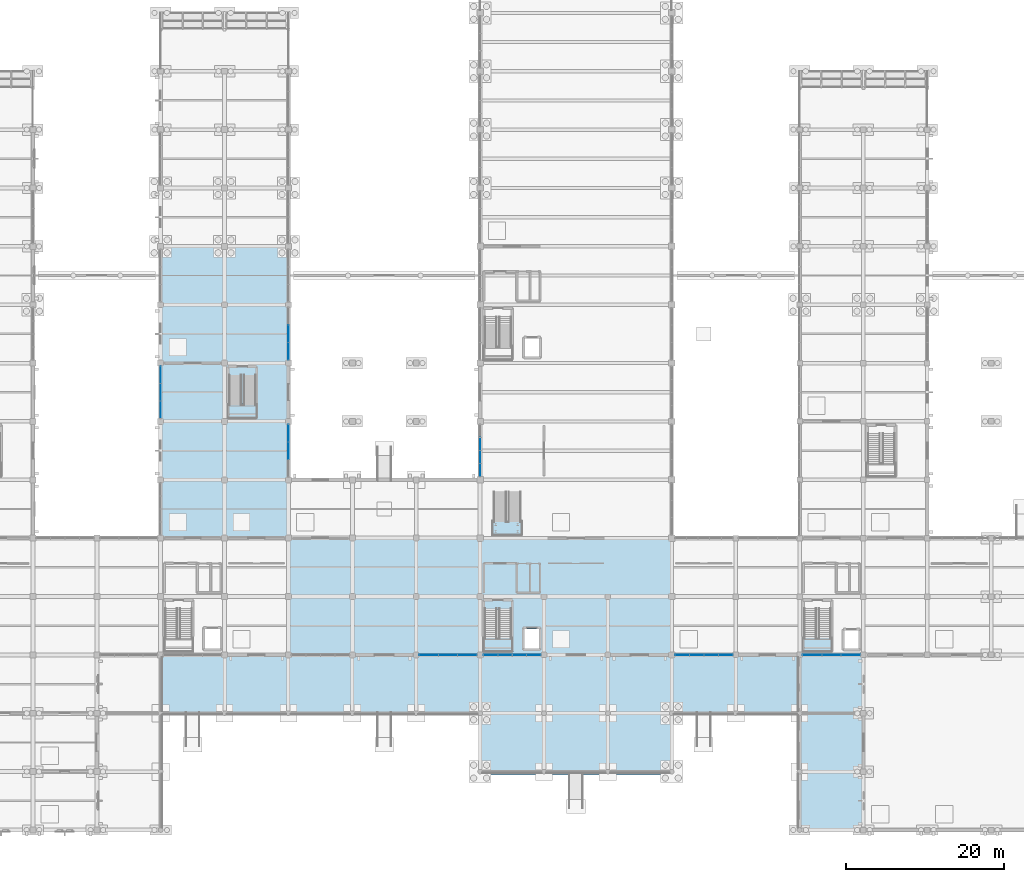
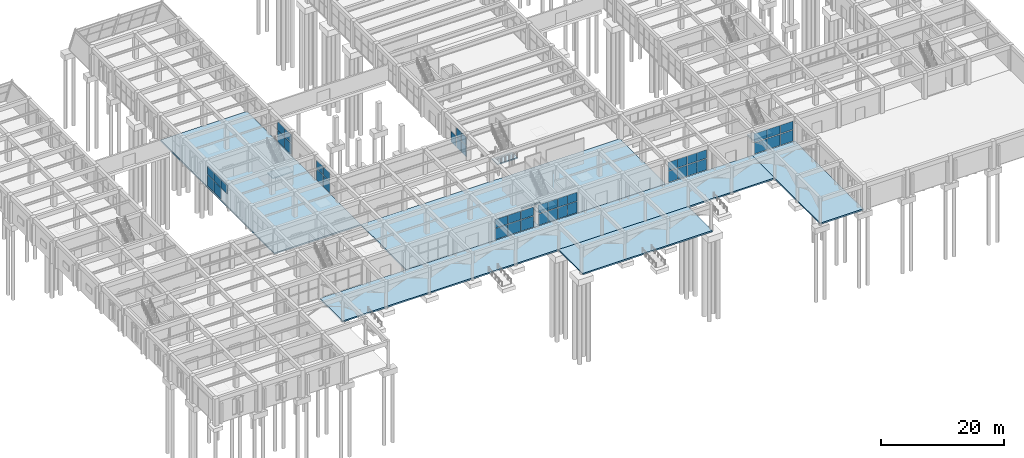
# One storey, part 112 of 140: 46 plates, 9 slabs, 12 elements without a shape of their own.
"""IFC4 building model written with IfcOpenShell, lengths in metres."""

from ifc_helpers import new_model, si_unit, direction, frame, origin, origin_2d, place, context, subcontext, project, spatial, polyline, rectangle, outline, extrude, material, layer, layer_set, type_object, element, aggregate, save


model = new_model("IFC4")

# Units and contexts
model_context = context("Model", 3, precision=1e-05, world=origin(), true_north=direction((0.0, 1.0)))
body_context = subcontext(model_context, "Body", "Model", "MODEL_VIEW")
ifc_project = project(units=[si_unit("LENGTHUNIT", "METRE"), si_unit("AREAUNIT", "SQUARE_METRE"), si_unit("VOLUMEUNIT", "CUBIC_METRE"), si_unit("PLANEANGLEUNIT", "RADIAN"), si_unit("MASSUNIT", "GRAM", prefix="KILO")], contexts=[model_context])

# Site, building, storey
site_placement = place(None, origin())
site = spatial("IfcSite", under=ifc_project, at=site_placement, CompositionType="ELEMENT")
building_placement = place(site_placement, origin())
building = spatial("IfcBuilding", under=site, at=building_placement, Name="Cimatlan Art Gallery", CompositionType="ELEMENT")
storey_placement = place(building_placement, origin())
storey = spatial("IfcBuildingStorey", under=building, at=storey_placement, Name="L00", CompositionType="ELEMENT", Elevation=0.0)

# Curtain wall, plates
ifc_material_1 = material(Name="Anodised bronze unitised curtain wall")
curtain_wall_type_1 = type_object("IfcCurtainWallType", Name="CW-V-06592X04148-B4", PredefinedType="NOTDEFINED", material=ifc_material_1)
curtain_wall_1_placement = place(storey_placement, origin())
curtain_wall_1 = element("IfcCurtainWall", 1, at=curtain_wall_1_placement, inside=storey, type_object=curtain_wall_type_1, Name="CW-L00-09-06-W", PredefinedType="NOTDEFINED")
ifc_material_2 = material(Name="Low-E insulated double glazing", Category="glass")
ifc_layer_1 = layer(ifc_material_2, 0.028076171875)
ifc_layer_set_1 = layer_set([ifc_layer_1], Name="Low-E insulated double glazing")
plate_type_1 = type_object("IfcPlateType", Name="PNL-1590X1641", PredefinedType="CURTAIN_PANEL", material=ifc_layer_set_1)
plate_1_placement = place(storey_placement, frame((74.89990234375, 47.327880859375, 2.385009765625), z_axis=(0.0, 0.0, 1.0), x_axis=(0.0, 1.0, 0.0)))
plate_1 = element("IfcPlate", 2, at=plate_1_placement, type_object=plate_type_1, Name="CW-L00-09-06-W-P12", PredefinedType="CURTAIN_PANEL", context=body_context, shape_type="SweptSolid", body=[
    extrude(rectangle(XDim=1.590087890625, YDim=0.028076171875, at=origin_2d()), origin(), (0.0, 0.0, 1.0), 1.64111328125),
])
plate_2_placement = place(storey_placement, frame((74.89990234375, 48.97607421875, 2.385009765625), z_axis=(0.0, 0.0, 1.0), x_axis=(0.0, 1.0, 0.0)))
plate_2 = element("IfcPlate", 3, at=plate_2_placement, type_object=plate_type_1, Name="CW-L00-09-06-W-P22", PredefinedType="CURTAIN_PANEL", context=body_context, shape_type="SweptSolid", body=[
    extrude(rectangle(XDim=1.590087890625, YDim=0.028076171875, at=origin_2d()), origin(), (0.0, 0.0, 1.0), 1.64111328125),
])
ifc_layer_2 = layer(ifc_material_2, 0.028076171875)
ifc_layer_set_2 = layer_set([ifc_layer_2], Name="Low-E insulated double glazing")
plate_type_2 = type_object("IfcPlateType", Name="PNL-1590X2139", PredefinedType="CURTAIN_PANEL", material=ifc_layer_set_2)
plate_3_placement = place(storey_placement, frame((74.89990234375, 47.327880859375, 0.1220703125), z_axis=(0.0, 0.0, 1.0), x_axis=(0.0, 1.0, 0.0)))
plate_3 = element("IfcPlate", 4, at=plate_3_placement, type_object=plate_type_2, Name="CW-L00-09-06-W-P11", PredefinedType="CURTAIN_PANEL", context=body_context, shape_type="SweptSolid", body=[
    extrude(rectangle(XDim=1.590087890625, YDim=0.028076171875, at=origin_2d()), origin(), (0.0, 0.0, 1.0), 2.138916015625),
])
plate_4_placement = place(storey_placement, frame((74.89990234375, 48.97607421875, 0.1220703125), z_axis=(0.0, 0.0, 1.0), x_axis=(0.0, 1.0, 0.0)))
plate_4 = element("IfcPlate", 5, at=plate_4_placement, type_object=plate_type_2, Name="CW-L00-09-06-W-P21", PredefinedType="CURTAIN_PANEL", context=body_context, shape_type="SweptSolid", body=[
    extrude(rectangle(XDim=1.590087890625, YDim=0.028076171875, at=origin_2d()), origin(), (0.0, 0.0, 1.0), 2.138916015625),
])
plate_5_placement = place(storey_placement, frame((74.89990234375, 50.6240234375, 0.1220703125), z_axis=(0.0, 0.0, 1.0), x_axis=(0.0, 1.0, 0.0)))
plate_5 = element("IfcPlate", 6, at=plate_5_placement, type_object=plate_type_2, Name="CW-L00-09-06-W-P31", PredefinedType="CURTAIN_PANEL", context=body_context, shape_type="SweptSolid", body=[
    extrude(rectangle(XDim=1.590087890625, YDim=0.028076171875, at=origin_2d()), origin(), (0.0, 0.0, 1.0), 2.138916015625),
])
aggregate(curtain_wall_1, [plate_3, plate_1, plate_4, plate_2, plate_5])

curtain_wall_type_2 = type_object("IfcCurtainWallType", Name="CW-V-07342X04225-B4", PredefinedType="NOTDEFINED", material=ifc_material_1)
curtain_wall_2_placement = place(storey_placement, origin())
curtain_wall_2 = element("IfcCurtainWall", 7, at=curtain_wall_2_placement, inside=storey, type_object=curtain_wall_type_2, Name="CW-L00-12-03-S", PredefinedType="NOTDEFINED")
ifc_layer_3 = layer(ifc_material_2, 0.028076171875)
ifc_layer_set_3 = layer_set([ifc_layer_3], Name="Low-E insulated double glazing")
plate_type_3 = type_object("IfcPlateType", Name="PNL-1777X1675", PredefinedType="CURTAIN_PANEL", material=ifc_layer_set_3)
plate_6_placement = place(storey_placement, frame((106.0283203125, 23.89990234375, 2.427734375), z_axis=(0.0, 0.0, 1.0), x_axis=(-1.0, 0.0, 0.0)))
plate_6 = element("IfcPlate", 8, at=plate_6_placement, type_object=plate_type_3, Name="CW-L00-12-03-S-P12", PredefinedType="CURTAIN_PANEL", context=body_context, shape_type="SweptSolid", body=[
    extrude(rectangle(XDim=1.777099609375, YDim=0.028076171875, at=origin_2d()), origin(), (0.0, 0.0, 1.0), 1.675048828125),
])
plate_7_placement = place(storey_placement, frame((104.19287109375, 23.89990234375, 2.427734375), z_axis=(0.0, 0.0, 1.0), x_axis=(-1.0, 0.0, 0.0)))
plate_7 = element("IfcPlate", 9, at=plate_7_placement, type_object=plate_type_3, Name="CW-L00-12-03-S-P22", PredefinedType="CURTAIN_PANEL", context=body_context, shape_type="SweptSolid", body=[
    extrude(rectangle(XDim=1.777099609375, YDim=0.028076171875, at=origin_2d()), origin(), (0.0, 0.0, 1.0), 1.675048828125),
])
plate_8_placement = place(storey_placement, frame((102.357177734375, 23.89990234375, 2.427734375), z_axis=(0.0, 0.0, 1.0), x_axis=(-1.0, 0.0, 0.0)))
plate_8 = element("IfcPlate", 10, at=plate_8_placement, type_object=plate_type_3, Name="CW-L00-12-03-S-P32", PredefinedType="CURTAIN_PANEL", context=body_context, shape_type="SweptSolid", body=[
    extrude(rectangle(XDim=1.777099609375, YDim=0.028076171875, at=origin_2d()), origin(), (0.0, 0.0, 1.0), 1.675048828125),
])
plate_9_placement = place(storey_placement, frame((100.521728515625, 23.89990234375, 2.427734375), z_axis=(0.0, 0.0, 1.0), x_axis=(-1.0, 0.0, 0.0)))
plate_9 = element("IfcPlate", 11, at=plate_9_placement, type_object=plate_type_3, Name="CW-L00-12-03-S-P42", PredefinedType="CURTAIN_PANEL", context=body_context, shape_type="SweptSolid", body=[
    extrude(rectangle(XDim=1.777099609375, YDim=0.028076171875, at=origin_2d()), origin(), (0.0, 0.0, 1.0), 1.675048828125),
])

curtain_wall_type_3 = type_object("IfcCurtainWallType", Name="CW-V-07342X04270-B4", PredefinedType="NOTDEFINED", material=ifc_material_1)
curtain_wall_3_placement = place(storey_placement, origin())
curtain_wall_3 = element("IfcCurtainWall", 12, at=curtain_wall_3_placement, inside=storey, type_object=curtain_wall_type_3, Name="CW-L00-09-03-S", PredefinedType="NOTDEFINED")
ifc_layer_4 = layer(ifc_material_2, 0.028076171875)
ifc_layer_set_4 = layer_set([ifc_layer_4], Name="Low-E insulated double glazing")
plate_type_4 = type_object("IfcPlateType", Name="PNL-1777X1695", PredefinedType="CURTAIN_PANEL", material=ifc_layer_set_4)
plate_10_placement = place(storey_placement, frame((81.728271484375, 23.89990234375, 2.453125), z_axis=(0.0, 0.0, 1.0), x_axis=(-1.0, 0.0, 0.0)))
plate_10 = element("IfcPlate", 13, at=plate_10_placement, type_object=plate_type_4, Name="CW-L00-09-03-S-P12", PredefinedType="CURTAIN_PANEL", context=body_context, shape_type="SweptSolid", body=[
    extrude(rectangle(XDim=1.777099609375, YDim=0.028076171875, at=origin_2d()), origin(), (0.0, 0.0, 1.0), 1.695068359375),
])
plate_11_placement = place(storey_placement, frame((79.892822265625, 23.89990234375, 2.453125), z_axis=(0.0, 0.0, 1.0), x_axis=(-1.0, 0.0, 0.0)))
plate_11 = element("IfcPlate", 14, at=plate_11_placement, type_object=plate_type_4, Name="CW-L00-09-03-S-P22", PredefinedType="CURTAIN_PANEL", context=body_context, shape_type="SweptSolid", body=[
    extrude(rectangle(XDim=1.777099609375, YDim=0.028076171875, at=origin_2d()), origin(), (0.0, 0.0, 1.0), 1.695068359375),
])
plate_12_placement = place(storey_placement, frame((78.05712890625, 23.89990234375, 2.453125), z_axis=(0.0, 0.0, 1.0), x_axis=(-1.0, 0.0, 0.0)))
plate_12 = element("IfcPlate", 15, at=plate_12_placement, type_object=plate_type_4, Name="CW-L00-09-03-S-P32", PredefinedType="CURTAIN_PANEL", context=body_context, shape_type="SweptSolid", body=[
    extrude(rectangle(XDim=1.777099609375, YDim=0.028076171875, at=origin_2d()), origin(), (0.0, 0.0, 1.0), 1.695068359375),
])
plate_13_placement = place(storey_placement, frame((76.2216796875, 23.89990234375, 2.453125), z_axis=(0.0, 0.0, 1.0), x_axis=(-1.0, 0.0, 0.0)))
plate_13 = element("IfcPlate", 16, at=plate_13_placement, type_object=plate_type_4, Name="CW-L00-09-03-S-P42", PredefinedType="CURTAIN_PANEL", context=body_context, shape_type="SweptSolid", body=[
    extrude(rectangle(XDim=1.777099609375, YDim=0.028076171875, at=origin_2d()), origin(), (0.0, 0.0, 1.0), 1.695068359375),
])

# Plate
ifc_layer_5 = layer(ifc_material_2, 0.028076171875)
ifc_layer_set_5 = layer_set([ifc_layer_5], Name="Low-E insulated double glazing")
plate_type_5 = type_object("IfcPlateType", Name="PNL-1777X2182", PredefinedType="CURTAIN_PANEL", material=ifc_layer_set_5)
plate_14_placement = place(storey_placement, frame((106.0283203125, 23.89990234375, 0.1220703125), z_axis=(0.0, 0.0, 1.0), x_axis=(-1.0, 0.0, 0.0)))
plate_14 = element("IfcPlate", 17, at=plate_14_placement, type_object=plate_type_5, Name="CW-L00-12-03-S-P11", PredefinedType="CURTAIN_PANEL", context=body_context, shape_type="SweptSolid", body=[
    extrude(rectangle(XDim=1.777099609375, YDim=0.028076171875, at=origin_2d()), origin(), (0.0, 0.0, 1.0), 2.181884765625),
])

plate_15_placement = place(storey_placement, frame((104.19287109375, 23.89990234375, 0.1220703125), z_axis=(0.0, 0.0, 1.0), x_axis=(-1.0, 0.0, 0.0)))
plate_15 = element("IfcPlate", 18, at=plate_15_placement, type_object=plate_type_5, Name="CW-L00-12-03-S-P21", PredefinedType="CURTAIN_PANEL", context=body_context, shape_type="SweptSolid", body=[
    extrude(rectangle(XDim=1.777099609375, YDim=0.028076171875, at=origin_2d()), origin(), (0.0, 0.0, 1.0), 2.181884765625),
])

plate_16_placement = place(storey_placement, frame((102.357177734375, 23.89990234375, 0.1220703125), z_axis=(0.0, 0.0, 1.0), x_axis=(-1.0, 0.0, 0.0)))
plate_16 = element("IfcPlate", 19, at=plate_16_placement, type_object=plate_type_5, Name="CW-L00-12-03-S-P31", PredefinedType="CURTAIN_PANEL", context=body_context, shape_type="SweptSolid", body=[
    extrude(rectangle(XDim=1.777099609375, YDim=0.028076171875, at=origin_2d()), origin(), (0.0, 0.0, 1.0), 2.181884765625),
])

plate_17_placement = place(storey_placement, frame((100.521728515625, 23.89990234375, 0.1220703125), z_axis=(0.0, 0.0, 1.0), x_axis=(-1.0, 0.0, 0.0)))
plate_17 = element("IfcPlate", 20, at=plate_17_placement, type_object=plate_type_5, Name="CW-L00-12-03-S-P41", PredefinedType="CURTAIN_PANEL", context=body_context, shape_type="SweptSolid", body=[
    extrude(rectangle(XDim=1.777099609375, YDim=0.028076171875, at=origin_2d()), origin(), (0.0, 0.0, 1.0), 2.181884765625),
])

aggregate(curtain_wall_2, [plate_14, plate_6, plate_15, plate_7, plate_16, plate_8, plate_17, plate_9])

ifc_layer_6 = layer(ifc_material_2, 0.028076171875)
ifc_layer_set_6 = layer_set([ifc_layer_6], Name="Low-E insulated double glazing")
plate_type_6 = type_object("IfcPlateType", Name="PNL-1777X2207", PredefinedType="CURTAIN_PANEL", material=ifc_layer_set_6)
plate_18_placement = place(storey_placement, frame((81.728271484375, 23.89990234375, 0.1220703125), z_axis=(0.0, 0.0, 1.0), x_axis=(-1.0, 0.0, 0.0)))
plate_18 = element("IfcPlate", 21, at=plate_18_placement, type_object=plate_type_6, Name="CW-L00-09-03-S-P11", PredefinedType="CURTAIN_PANEL", context=body_context, shape_type="SweptSolid", body=[
    extrude(rectangle(XDim=1.777099609375, YDim=0.028076171875, at=origin_2d()), origin(), (0.0, 0.0, 1.0), 2.20703125),
])

plate_19_placement = place(storey_placement, frame((79.892822265625, 23.89990234375, 0.1220703125), z_axis=(0.0, 0.0, 1.0), x_axis=(-1.0, 0.0, 0.0)))
plate_19 = element("IfcPlate", 22, at=plate_19_placement, type_object=plate_type_6, Name="CW-L00-09-03-S-P21", PredefinedType="CURTAIN_PANEL", context=body_context, shape_type="SweptSolid", body=[
    extrude(rectangle(XDim=1.777099609375, YDim=0.028076171875, at=origin_2d()), origin(), (0.0, 0.0, 1.0), 2.20703125),
])

plate_20_placement = place(storey_placement, frame((78.05712890625, 23.89990234375, 0.1220703125), z_axis=(0.0, 0.0, 1.0), x_axis=(-1.0, 0.0, 0.0)))
plate_20 = element("IfcPlate", 23, at=plate_20_placement, type_object=plate_type_6, Name="CW-L00-09-03-S-P31", PredefinedType="CURTAIN_PANEL", context=body_context, shape_type="SweptSolid", body=[
    extrude(rectangle(XDim=1.777099609375, YDim=0.028076171875, at=origin_2d()), origin(), (0.0, 0.0, 1.0), 2.20703125),
])

plate_21_placement = place(storey_placement, frame((76.2216796875, 23.89990234375, 0.1220703125), z_axis=(0.0, 0.0, 1.0), x_axis=(-1.0, 0.0, 0.0)))
plate_21 = element("IfcPlate", 24, at=plate_21_placement, type_object=plate_type_6, Name="CW-L00-09-03-S-P41", PredefinedType="CURTAIN_PANEL", context=body_context, shape_type="SweptSolid", body=[
    extrude(rectangle(XDim=1.777099609375, YDim=0.028076171875, at=origin_2d()), origin(), (0.0, 0.0, 1.0), 2.20703125),
])

aggregate(curtain_wall_3, [plate_18, plate_10, plate_19, plate_11, plate_20, plate_12, plate_21, plate_13])

# Curtain wall, plates
curtain_wall_type_4 = type_object("IfcCurtainWallType", Name="CW-V-06642X04195-B3", PredefinedType="NOTDEFINED", material=ifc_material_1)
curtain_wall_4_placement = place(storey_placement, origin())
curtain_wall_4 = element("IfcCurtainWall", 25, at=curtain_wall_4_placement, inside=storey, type_object=curtain_wall_type_4, Name="CW-L00-05-08-E", PredefinedType="NOTDEFINED")
ifc_layer_7 = layer(ifc_material_2, 0.028076171875)
ifc_layer_set_7 = layer_set([ifc_layer_7], Name="Low-E insulated double glazing")
plate_type_7 = type_object("IfcPlateType", Name="PNL-2156X1662", PredefinedType="CURTAIN_PANEL", material=ifc_layer_set_7)
plate_22_placement = place(storey_placement, frame((50.60009765625, 64.60009765625, 2.4111328125), z_axis=(0.0, 0.0, 1.0), x_axis=(0.0, -1.0, 0.0)))
plate_22 = element("IfcPlate", 26, at=plate_22_placement, type_object=plate_type_7, Name="CW-L00-05-08-E-P22", PredefinedType="CURTAIN_PANEL", context=body_context, shape_type="SweptSolid", body=[
    extrude(rectangle(XDim=2.156005859375, YDim=0.028076171875, at=origin_2d()), origin(), (0.0, 0.0, 1.0), 1.662109375),
])
plate_23_placement = place(storey_placement, frame((50.60009765625, 62.385986328125, 2.4111328125), z_axis=(0.0, 0.0, 1.0), x_axis=(0.0, -1.0, 0.0)))
plate_23 = element("IfcPlate", 27, at=plate_23_placement, type_object=plate_type_7, Name="CW-L00-05-08-E-P32", PredefinedType="CURTAIN_PANEL", context=body_context, shape_type="SweptSolid", body=[
    extrude(rectangle(XDim=2.156005859375, YDim=0.028076171875, at=origin_2d()), origin(), (0.0, 0.0, 1.0), 1.662109375),
])

curtain_wall_type_5 = type_object("IfcCurtainWallType", Name="CW-V-06642X04225-B3", PredefinedType="NOTDEFINED", material=ifc_material_1)
curtain_wall_5_placement = place(storey_placement, origin())
curtain_wall_5 = element("IfcCurtainWall", 28, at=curtain_wall_5_placement, inside=storey, type_object=curtain_wall_type_5, Name="CW-L00-05-06-E", PredefinedType="NOTDEFINED")
ifc_layer_8 = layer(ifc_material_2, 0.028076171875)
ifc_layer_set_8 = layer_set([ifc_layer_8], Name="Low-E insulated double glazing")
plate_type_8 = type_object("IfcPlateType", Name="PNL-2156X1675", PredefinedType="CURTAIN_PANEL", material=ifc_layer_set_8)
plate_24_placement = place(storey_placement, frame((50.60009765625, 52.013916015625, 2.427734375), z_axis=(0.0, 0.0, 1.0), x_axis=(0.0, -1.0, 0.0)))
plate_24 = element("IfcPlate", 29, at=plate_24_placement, type_object=plate_type_8, Name="CW-L00-05-06-E-P12", PredefinedType="CURTAIN_PANEL", context=body_context, shape_type="SweptSolid", body=[
    extrude(rectangle(XDim=2.156005859375, YDim=0.028076171875, at=origin_2d()), origin(), (0.0, 0.0, 1.0), 1.675048828125),
])
plate_25_placement = place(storey_placement, frame((50.60009765625, 49.800048828125, 2.427734375), z_axis=(0.0, 0.0, 1.0), x_axis=(0.0, -1.0, 0.0)))
plate_25 = element("IfcPlate", 30, at=plate_25_placement, type_object=plate_type_8, Name="CW-L00-05-06-E-P22", PredefinedType="CURTAIN_PANEL", context=body_context, shape_type="SweptSolid", body=[
    extrude(rectangle(XDim=2.156005859375, YDim=0.028076171875, at=origin_2d()), origin(), (0.0, 0.0, 1.0), 1.675048828125),
])

curtain_wall_type_6 = type_object("IfcCurtainWallType", Name="CW-V-06642X04255-B3", PredefinedType="NOTDEFINED", material=ifc_material_1)
curtain_wall_6_placement = place(storey_placement, origin())
curtain_wall_6 = element("IfcCurtainWall", 31, at=curtain_wall_6_placement, inside=storey, type_object=curtain_wall_type_6, Name="CW-L00-04-07-W", PredefinedType="NOTDEFINED")
ifc_layer_9 = layer(ifc_material_2, 0.028076171875)
ifc_layer_set_9 = layer_set([ifc_layer_9], Name="Low-E insulated double glazing")
plate_type_9 = type_object("IfcPlateType", Name="PNL-2156X1688", PredefinedType="CURTAIN_PANEL", material=ifc_layer_set_9)
plate_26_placement = place(storey_placement, frame((34.39990234375, 54.986083984375, 2.44482421875), z_axis=(0.0, 0.0, 1.0), x_axis=(0.0, 1.0, 0.0)))
plate_26 = element("IfcPlate", 32, at=plate_26_placement, type_object=plate_type_9, Name="CW-L00-04-07-W-P12", PredefinedType="CURTAIN_PANEL", context=body_context, shape_type="SweptSolid", body=[
    extrude(rectangle(XDim=2.156005859375, YDim=0.028076171875, at=origin_2d()), origin(), (0.0, 0.0, 1.0), 1.68798828125),
])
plate_27_placement = place(storey_placement, frame((34.39990234375, 57.199951171875, 2.44482421875), z_axis=(0.0, 0.0, 1.0), x_axis=(0.0, 1.0, 0.0)))
plate_27 = element("IfcPlate", 33, at=plate_27_placement, type_object=plate_type_9, Name="CW-L00-04-07-W-P22", PredefinedType="CURTAIN_PANEL", context=body_context, shape_type="SweptSolid", body=[
    extrude(rectangle(XDim=2.156005859375, YDim=0.028076171875, at=origin_2d()), origin(), (0.0, 0.0, 1.0), 1.68798828125),
])
plate_28_placement = place(storey_placement, frame((34.39990234375, 59.4140625, 2.44482421875), z_axis=(0.0, 0.0, 1.0), x_axis=(0.0, 1.0, 0.0)))
plate_28 = element("IfcPlate", 34, at=plate_28_placement, type_object=plate_type_9, Name="CW-L00-04-07-W-P32", PredefinedType="CURTAIN_PANEL", context=body_context, shape_type="SweptSolid", body=[
    extrude(rectangle(XDim=2.156005859375, YDim=0.028076171875, at=origin_2d()), origin(), (0.0, 0.0, 1.0), 1.68798828125),
])

# Plate
ifc_layer_10 = layer(ifc_material_2, 0.028076171875)
ifc_layer_set_10 = layer_set([ifc_layer_10], Name="Low-E insulated double glazing")
plate_type_10 = type_object("IfcPlateType", Name="PNL-2156X2165", PredefinedType="CURTAIN_PANEL", material=ifc_layer_set_10)
plate_29_placement = place(storey_placement, frame((50.60009765625, 64.60009765625, 0.1220703125), z_axis=(0.0, 0.0, 1.0), x_axis=(0.0, -1.0, 0.0)))
plate_29 = element("IfcPlate", 35, at=plate_29_placement, type_object=plate_type_10, Name="CW-L00-05-08-E-P21", PredefinedType="CURTAIN_PANEL", context=body_context, shape_type="SweptSolid", body=[
    extrude(rectangle(XDim=2.156005859375, YDim=0.028076171875, at=origin_2d()), origin(), (0.0, 0.0, 1.0), 2.1650390625),
])

plate_30_placement = place(storey_placement, frame((50.60009765625, 62.385986328125, 0.1220703125), z_axis=(0.0, 0.0, 1.0), x_axis=(0.0, -1.0, 0.0)))
plate_30 = element("IfcPlate", 36, at=plate_30_placement, type_object=plate_type_10, Name="CW-L00-05-08-E-P31", PredefinedType="CURTAIN_PANEL", context=body_context, shape_type="SweptSolid", body=[
    extrude(rectangle(XDim=2.156005859375, YDim=0.028076171875, at=origin_2d()), origin(), (0.0, 0.0, 1.0), 2.1650390625),
])

aggregate(curtain_wall_4, [plate_29, plate_22, plate_30, plate_23])

ifc_layer_11 = layer(ifc_material_2, 0.028076171875)
ifc_layer_set_11 = layer_set([ifc_layer_11], Name="Low-E insulated double glazing")
plate_type_11 = type_object("IfcPlateType", Name="PNL-2156X2182", PredefinedType="CURTAIN_PANEL", material=ifc_layer_set_11)
plate_31_placement = place(storey_placement, frame((50.60009765625, 52.013916015625, 0.1220703125), z_axis=(0.0, 0.0, 1.0), x_axis=(0.0, -1.0, 0.0)))
plate_31 = element("IfcPlate", 37, at=plate_31_placement, type_object=plate_type_11, Name="CW-L00-05-06-E-P11", PredefinedType="CURTAIN_PANEL", context=body_context, shape_type="SweptSolid", body=[
    extrude(rectangle(XDim=2.156005859375, YDim=0.028076171875, at=origin_2d()), origin(), (0.0, 0.0, 1.0), 2.181884765625),
])

plate_32_placement = place(storey_placement, frame((50.60009765625, 49.800048828125, 0.1220703125), z_axis=(0.0, 0.0, 1.0), x_axis=(0.0, -1.0, 0.0)))
plate_32 = element("IfcPlate", 38, at=plate_32_placement, type_object=plate_type_11, Name="CW-L00-05-06-E-P21", PredefinedType="CURTAIN_PANEL", context=body_context, shape_type="SweptSolid", body=[
    extrude(rectangle(XDim=2.156005859375, YDim=0.028076171875, at=origin_2d()), origin(), (0.0, 0.0, 1.0), 2.181884765625),
])

aggregate(curtain_wall_5, [plate_31, plate_24, plate_32, plate_25])

ifc_layer_12 = layer(ifc_material_2, 0.028076171875)
ifc_layer_set_12 = layer_set([ifc_layer_12], Name="Low-E insulated double glazing")
plate_type_12 = type_object("IfcPlateType", Name="PNL-2156X2199", PredefinedType="CURTAIN_PANEL", material=ifc_layer_set_12)
plate_33_placement = place(storey_placement, frame((34.39990234375, 57.199951171875, 0.1220703125), z_axis=(0.0, 0.0, 1.0), x_axis=(0.0, 1.0, 0.0)))
plate_33 = element("IfcPlate", 39, at=plate_33_placement, type_object=plate_type_12, Name="CW-L00-04-07-W-P21", PredefinedType="CURTAIN_PANEL", context=body_context, shape_type="SweptSolid", body=[
    extrude(rectangle(XDim=2.156005859375, YDim=0.028076171875, at=origin_2d()), origin(), (0.0, 0.0, 1.0), 2.198974609375),
])

plate_34_placement = place(storey_placement, frame((34.39990234375, 59.4140625, 0.1220703125), z_axis=(0.0, 0.0, 1.0), x_axis=(0.0, 1.0, 0.0)))
plate_34 = element("IfcPlate", 40, at=plate_34_placement, type_object=plate_type_12, Name="CW-L00-04-07-W-P31", PredefinedType="CURTAIN_PANEL", context=body_context, shape_type="SweptSolid", body=[
    extrude(rectangle(XDim=2.156005859375, YDim=0.028076171875, at=origin_2d()), origin(), (0.0, 0.0, 1.0), 2.198974609375),
])

aggregate(curtain_wall_6, [plate_26, plate_33, plate_27, plate_34, plate_28])

# Curtain wall, plates
curtain_wall_type_7 = type_object("IfcCurtainWallType", Name="CW-V-07317X04225-B3", PredefinedType="NOTDEFINED", material=ifc_material_1)
curtain_wall_7_placement = place(storey_placement, origin())
curtain_wall_7 = element("IfcCurtainWall", 41, at=curtain_wall_7_placement, inside=storey, type_object=curtain_wall_type_7, Name="CW-L00-08-03-S", PredefinedType="NOTDEFINED")
ifc_layer_13 = layer(ifc_material_2, 0.028076171875)
ifc_layer_set_13 = layer_set([ifc_layer_13], Name="Low-E insulated double glazing")
plate_type_13 = type_object("IfcPlateType", Name="PNL-2381X1675", PredefinedType="CURTAIN_PANEL", material=ifc_layer_set_13)
plate_35_placement = place(storey_placement, frame((73.276611328125, 23.89990234375, 2.427734375), z_axis=(0.0, 0.0, 1.0), x_axis=(-1.0, 0.0, 0.0)))
plate_35 = element("IfcPlate", 42, at=plate_35_placement, type_object=plate_type_13, Name="CW-L00-08-03-S-P12", PredefinedType="CURTAIN_PANEL", context=body_context, shape_type="SweptSolid", body=[
    extrude(rectangle(XDim=2.381103515625, YDim=0.028076171875, at=origin_2d()), origin(), (0.0, 0.0, 1.0), 1.675048828125),
])
plate_36_placement = place(storey_placement, frame((70.83740234375, 23.89990234375, 2.427734375), z_axis=(0.0, 0.0, 1.0), x_axis=(-1.0, 0.0, 0.0)))
plate_36 = element("IfcPlate", 43, at=plate_36_placement, type_object=plate_type_13, Name="CW-L00-08-03-S-P22", PredefinedType="CURTAIN_PANEL", context=body_context, shape_type="SweptSolid", body=[
    extrude(rectangle(XDim=2.381103515625, YDim=0.028076171875, at=origin_2d()), origin(), (0.0, 0.0, 1.0), 1.675048828125),
])
plate_37_placement = place(storey_placement, frame((68.3984375, 23.89990234375, 2.427734375), z_axis=(0.0, 0.0, 1.0), x_axis=(-1.0, 0.0, 0.0)))
plate_37 = element("IfcPlate", 44, at=plate_37_placement, type_object=plate_type_13, Name="CW-L00-08-03-S-P32", PredefinedType="CURTAIN_PANEL", context=body_context, shape_type="SweptSolid", body=[
    extrude(rectangle(XDim=2.381103515625, YDim=0.028076171875, at=origin_2d()), origin(), (0.0, 0.0, 1.0), 1.675048828125),
])
ifc_layer_14 = layer(ifc_material_2, 0.028076171875)
ifc_layer_set_14 = layer_set([ifc_layer_14], Name="Low-E insulated double glazing")
plate_type_14 = type_object("IfcPlateType", Name="PNL-2381X2182", PredefinedType="CURTAIN_PANEL", material=ifc_layer_set_14)
plate_38_placement = place(storey_placement, frame((73.276611328125, 23.89990234375, 0.1220703125), z_axis=(0.0, 0.0, 1.0), x_axis=(-1.0, 0.0, 0.0)))
plate_38 = element("IfcPlate", 45, at=plate_38_placement, type_object=plate_type_14, Name="CW-L00-08-03-S-P11", PredefinedType="CURTAIN_PANEL", context=body_context, shape_type="SweptSolid", body=[
    extrude(rectangle(XDim=2.381103515625, YDim=0.028076171875, at=origin_2d()), origin(), (0.0, 0.0, 1.0), 2.181884765625),
])
plate_39_placement = place(storey_placement, frame((70.83740234375, 23.89990234375, 0.1220703125), z_axis=(0.0, 0.0, 1.0), x_axis=(-1.0, 0.0, 0.0)))
plate_39 = element("IfcPlate", 46, at=plate_39_placement, type_object=plate_type_14, Name="CW-L00-08-03-S-P21", PredefinedType="CURTAIN_PANEL", context=body_context, shape_type="SweptSolid", body=[
    extrude(rectangle(XDim=2.381103515625, YDim=0.028076171875, at=origin_2d()), origin(), (0.0, 0.0, 1.0), 2.181884765625),
])
plate_40_placement = place(storey_placement, frame((68.3984375, 23.89990234375, 0.1220703125), z_axis=(0.0, 0.0, 1.0), x_axis=(-1.0, 0.0, 0.0)))
plate_40 = element("IfcPlate", 47, at=plate_40_placement, type_object=plate_type_14, Name="CW-L00-08-03-S-P31", PredefinedType="CURTAIN_PANEL", context=body_context, shape_type="SweptSolid", body=[
    extrude(rectangle(XDim=2.381103515625, YDim=0.028076171875, at=origin_2d()), origin(), (0.0, 0.0, 1.0), 2.181884765625),
])
aggregate(curtain_wall_7, [plate_38, plate_35, plate_39, plate_36, plate_40, plate_37])

curtain_wall_type_8 = type_object("IfcCurtainWallType", Name="CW-V-07392X04225-B3", PredefinedType="NOTDEFINED", material=ifc_material_1)
curtain_wall_8_placement = place(storey_placement, origin())
curtain_wall_8 = element("IfcCurtainWall", 48, at=curtain_wall_8_placement, inside=storey, type_object=curtain_wall_type_8, Name="CW-L00-14-03-S", PredefinedType="NOTDEFINED")
ifc_layer_15 = layer(ifc_material_2, 0.028076171875)
ifc_layer_set_15 = layer_set([ifc_layer_15], Name="Low-E insulated double glazing")
plate_type_15 = type_object("IfcPlateType", Name="PNL-2406X1675", PredefinedType="CURTAIN_PANEL", material=ifc_layer_set_15)
plate_41_placement = place(storey_placement, frame((121.9140625, 23.89990234375, 2.427734375), z_axis=(0.0, 0.0, 1.0), x_axis=(-1.0, 0.0, 0.0)))
plate_41 = element("IfcPlate", 49, at=plate_41_placement, type_object=plate_type_15, Name="CW-L00-14-03-S-P12", PredefinedType="CURTAIN_PANEL", context=body_context, shape_type="SweptSolid", body=[
    extrude(rectangle(XDim=2.406005859375, YDim=0.028076171875, at=origin_2d()), origin(), (0.0, 0.0, 1.0), 1.675048828125),
])
plate_42_placement = place(storey_placement, frame((119.449951171875, 23.89990234375, 2.427734375), z_axis=(0.0, 0.0, 1.0), x_axis=(-1.0, 0.0, 0.0)))
plate_42 = element("IfcPlate", 50, at=plate_42_placement, type_object=plate_type_15, Name="CW-L00-14-03-S-P22", PredefinedType="CURTAIN_PANEL", context=body_context, shape_type="SweptSolid", body=[
    extrude(rectangle(XDim=2.406005859375, YDim=0.028076171875, at=origin_2d()), origin(), (0.0, 0.0, 1.0), 1.675048828125),
])
plate_43_placement = place(storey_placement, frame((116.986083984375, 23.89990234375, 2.427734375), z_axis=(0.0, 0.0, 1.0), x_axis=(-1.0, 0.0, 0.0)))
plate_43 = element("IfcPlate", 51, at=plate_43_placement, type_object=plate_type_15, Name="CW-L00-14-03-S-P32", PredefinedType="CURTAIN_PANEL", context=body_context, shape_type="SweptSolid", body=[
    extrude(rectangle(XDim=2.406005859375, YDim=0.028076171875, at=origin_2d()), origin(), (0.0, 0.0, 1.0), 1.675048828125),
])
ifc_layer_16 = layer(ifc_material_2, 0.028076171875)
ifc_layer_set_16 = layer_set([ifc_layer_16], Name="Low-E insulated double glazing")
plate_type_16 = type_object("IfcPlateType", Name="PNL-2406X2182", PredefinedType="CURTAIN_PANEL", material=ifc_layer_set_16)
plate_44_placement = place(storey_placement, frame((121.9140625, 23.89990234375, 0.1220703125), z_axis=(0.0, 0.0, 1.0), x_axis=(-1.0, 0.0, 0.0)))
plate_44 = element("IfcPlate", 52, at=plate_44_placement, type_object=plate_type_16, Name="CW-L00-14-03-S-P11", PredefinedType="CURTAIN_PANEL", context=body_context, shape_type="SweptSolid", body=[
    extrude(rectangle(XDim=2.406005859375, YDim=0.028076171875, at=origin_2d()), origin(), (0.0, 0.0, 1.0), 2.181884765625),
])
plate_45_placement = place(storey_placement, frame((119.449951171875, 23.89990234375, 0.1220703125), z_axis=(0.0, 0.0, 1.0), x_axis=(-1.0, 0.0, 0.0)))
plate_45 = element("IfcPlate", 53, at=plate_45_placement, type_object=plate_type_16, Name="CW-L00-14-03-S-P21", PredefinedType="CURTAIN_PANEL", context=body_context, shape_type="SweptSolid", body=[
    extrude(rectangle(XDim=2.406005859375, YDim=0.028076171875, at=origin_2d()), origin(), (0.0, 0.0, 1.0), 2.181884765625),
])
plate_46_placement = place(storey_placement, frame((116.986083984375, 23.89990234375, 0.1220703125), z_axis=(0.0, 0.0, 1.0), x_axis=(-1.0, 0.0, 0.0)))
plate_46 = element("IfcPlate", 54, at=plate_46_placement, type_object=plate_type_16, Name="CW-L00-14-03-S-P31", PredefinedType="CURTAIN_PANEL", context=body_context, shape_type="SweptSolid", body=[
    extrude(rectangle(XDim=2.406005859375, YDim=0.028076171875, at=origin_2d()), origin(), (0.0, 0.0, 1.0), 2.181884765625),
])
aggregate(curtain_wall_8, [plate_44, plate_41, plate_45, plate_42, plate_46, plate_43])

# Slabs
ifc_material_3 = material(Name="Concrete C35/45", Category="concrete")
ifc_layer_17 = layer(ifc_material_3, 0.280029296875)
ifc_layer_set_17 = layer_set([ifc_layer_17], Name="Concrete C35/45")
slab_type_1 = type_object("IfcSlabType", Name="SLB-FLR-L00", PredefinedType="FLOOR", material=ifc_layer_set_17)
slab_1_placement = place(storey_placement, frame((0.0, 0.0, -0.280029296875)))
element("IfcSlab", 55, at=slab_1_placement, inside=storey, type_object=slab_type_1, Name="SLB-L00-SPC", PredefinedType="FLOOR", context=body_context, shape_type="SweptSolid", body=[
    extrude(outline(polyline([(50.60009765625, 23.89990234375), (99.199951171875, 23.89990234375), (99.199951171875, 38.699951171875), (50.60009765625, 38.699951171875), (50.60009765625, 23.89990234375)]), holes=[polyline([(75.39990234375, 24.419921875), (78.919921875, 24.419921875), (78.919921875, 29.64990234375), (75.39990234375, 29.64990234375), (75.39990234375, 24.419921875)]), polyline([(80.510009765625, 24.7099609375), (82.389892578125, 24.7099609375), (82.389892578125, 27.18994140625), (80.510009765625, 27.18994140625), (80.510009765625, 24.7099609375)])]), origin(), (0.0, 0.0, 1.0), 0.280029296875),
])
slab_2_placement = place(storey_placement, frame((0.0, 0.0, -0.280029296875)))
element("IfcSlab", 56, at=slab_2_placement, inside=storey, type_object=slab_type_1, Name="SLB-L00-B2S", PredefinedType="FLOOR", context=body_context, shape_type="SweptSolid", body=[
    extrude(outline(polyline([(34.39990234375, 38.699951171875), (50.60009765625, 38.699951171875), (50.60009765625, 75.699951171875), (34.39990234375, 75.699951171875), (34.39990234375, 38.699951171875)])), origin(), (0.0, 0.0, 1.0), 0.280029296875),
])
ifc_layer_18 = layer(ifc_material_3, 0.280029296875)
ifc_layer_set_18 = layer_set([ifc_layer_18], Name="Concrete C35/45")
slab_type_2 = type_object("IfcSlabType", Name="SLB-PAV-280", PredefinedType="BASESLAB", material=ifc_layer_set_18)
slab_3_placement = place(storey_placement, frame((0.0, 0.0, -0.280029296875)))
element("IfcSlab", 57, at=slab_3_placement, inside=storey, type_object=slab_type_2, Name="SLB-L00-COL-S", PredefinedType="BASESLAB", context=body_context, shape_type="SweptSolid", body=[
    extrude(outline(polyline([(34.39990234375, 16.5), (115.39990234375, 16.5), (115.39990234375, 23.89990234375), (34.39990234375, 23.89990234375), (34.39990234375, 16.5)])), origin(), (0.0, 0.0, 1.0), 0.280029296875),
])
slab_4_placement = place(storey_placement, frame((0.0, 0.0, -0.280029296875)))
element("IfcSlab", 58, at=slab_4_placement, inside=storey, type_object=slab_type_2, Name="SLB-L00-COL-E", PredefinedType="BASESLAB", context=body_context, shape_type="SweptSolid", body=[
    extrude(outline(polyline([(115.39990234375, 1.699951171875), (123.5, 1.699951171875), (123.5, 23.89990234375), (115.39990234375, 23.89990234375), (115.39990234375, 1.699951171875)])), origin(), (0.0, 0.0, 1.0), 0.280029296875),
])
slab_5_placement = place(storey_placement, frame((0.0, 0.0, -0.280029296875)))
element("IfcSlab", 59, at=slab_5_placement, inside=storey, type_object=slab_type_2, Name="SLB-L00-COL-CAN", PredefinedType="BASESLAB", context=body_context, shape_type="SweptSolid", body=[
    extrude(outline(polyline([(74.89990234375, 8.64990234375), (99.199951171875, 8.64990234375), (99.199951171875, 16.5), (74.89990234375, 16.5), (74.89990234375, 8.64990234375)])), origin(), (0.0, 0.0, 1.0), 0.280029296875),
])

# Stair, slab
stair_type_1 = type_object("IfcStairType", Name="STR-HALF-155-540", PredefinedType="HALF_TURN_STAIR", material=ifc_material_3)
stair_1_placement = place(storey_placement, origin())
stair_1 = element("IfcStair", 60, at=stair_1_placement, inside=storey, type_object=stair_type_1, Name="STR-C3-L00", PredefinedType="HALF_TURN_STAIR")
ifc_layer_19 = layer(ifc_material_3, 0.219970703125)
ifc_layer_set_19 = layer_set([ifc_layer_19], Name="Concrete C35/45")
slab_type_3 = type_object("IfcSlabType", Name="SLB-STAIR-LAND-220", PredefinedType="LANDING", material=ifc_layer_set_19)
slab_6_placement = place(storey_placement, frame((0.0, 0.0, 2.47998046875)))
slab_6 = element("IfcSlab", 61, at=slab_6_placement, type_object=slab_type_3, Name="STR-C3-L00-LND", PredefinedType="LANDING", context=body_context, shape_type="SweptSolid", body=[
    extrude(outline(polyline([(75.25, 24.25), (79.0400390625, 24.25), (79.0400390625, 26.10498046875), (75.25, 26.10498046875), (75.25, 24.25)])), origin(), (0.0, 0.0, 1.0), 0.219970703125),
])
aggregate(stair_1, [slab_6])

stair_2_placement = place(storey_placement, origin())
stair_2 = element("IfcStair", 62, at=stair_2_placement, inside=storey, type_object=stair_type_1, Name="STR-C4-L00", PredefinedType="HALF_TURN_STAIR")
slab_7_placement = place(storey_placement, frame((0.0, 0.0, 2.47998046875)))
slab_7 = element("IfcSlab", 63, at=slab_7_placement, type_object=slab_type_3, Name="STR-C4-L00-LND", PredefinedType="LANDING", context=body_context, shape_type="SweptSolid", body=[
    extrude(outline(polyline([(115.75, 24.25), (119.5400390625, 24.25), (119.5400390625, 26.10498046875), (115.75, 26.10498046875), (115.75, 24.25)])), origin(), (0.0, 0.0, 1.0), 0.219970703125),
])
aggregate(stair_2, [slab_7])

stair_3_placement = place(storey_placement, origin())
stair_3 = element("IfcStair", 64, at=stair_3_placement, inside=storey, type_object=stair_type_1, Name="STR-C8-L00", PredefinedType="HALF_TURN_STAIR")
slab_8_placement = place(storey_placement, frame((0.0, 0.0, 2.47998046875)))
slab_8 = element("IfcSlab", 65, at=slab_8_placement, type_object=slab_type_3, Name="STR-C8-L00-LND", PredefinedType="LANDING", context=body_context, shape_type="SweptSolid", body=[
    extrude(outline(polyline([(42.85009765625, 53.85009765625), (46.639892578125, 53.85009765625), (46.639892578125, 55.705078125), (42.85009765625, 55.705078125), (42.85009765625, 53.85009765625)])), origin(), (0.0, 0.0, 1.0), 0.219970703125),
])
aggregate(stair_3, [slab_8])

stair_type_2 = type_object("IfcStairType", Name="STR-STRA-160-540", PredefinedType="STRAIGHT_RUN_STAIR", material=ifc_material_3)
stair_4_placement = place(storey_placement, origin())
stair_4 = element("IfcStair", 66, at=stair_4_placement, inside=storey, type_object=stair_type_2, Name="STR-FEAT-01", PredefinedType="STRAIGHT_RUN_STAIR")
slab_9_placement = place(storey_placement, frame((0.0, 0.0, 2.47998046875)))
slab_9 = element("IfcSlab", 67, at=slab_9_placement, type_object=slab_type_3, Name="STR-FEAT-01-LND", PredefinedType="LANDING", context=body_context, shape_type="SweptSolid", body=[
    extrude(outline(polyline([(76.39990234375, 39.050048828125), (80.25, 39.050048828125), (80.25, 40.905029296875), (76.39990234375, 40.905029296875), (76.39990234375, 39.050048828125)])), origin(), (0.0, 0.0, 1.0), 0.219970703125),
])
aggregate(stair_4, [slab_9])

save(model, "model.ifc")
